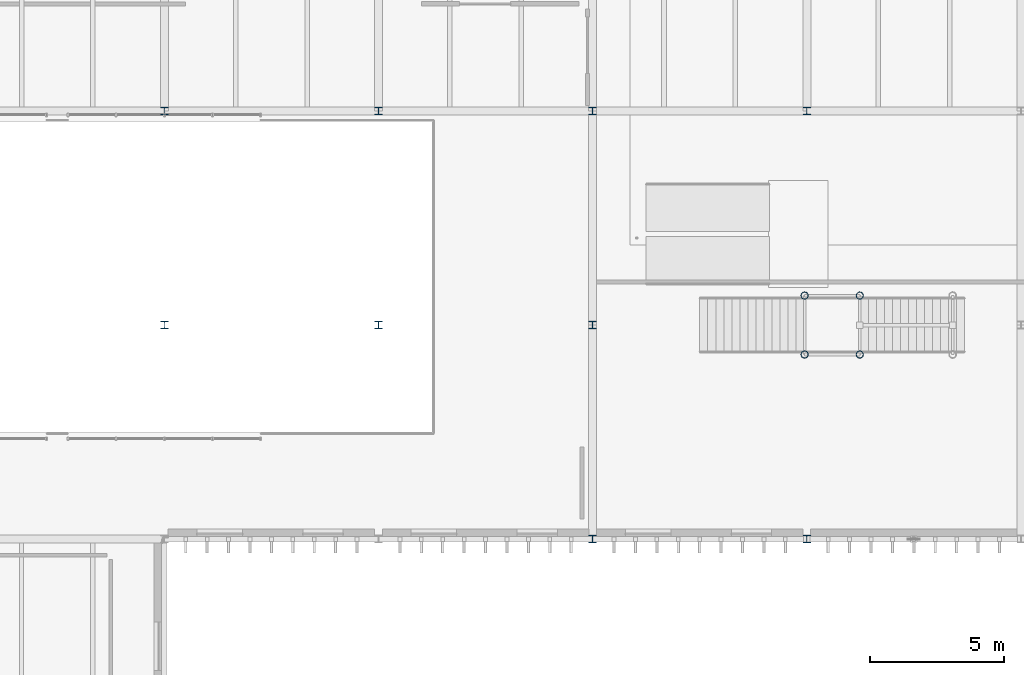
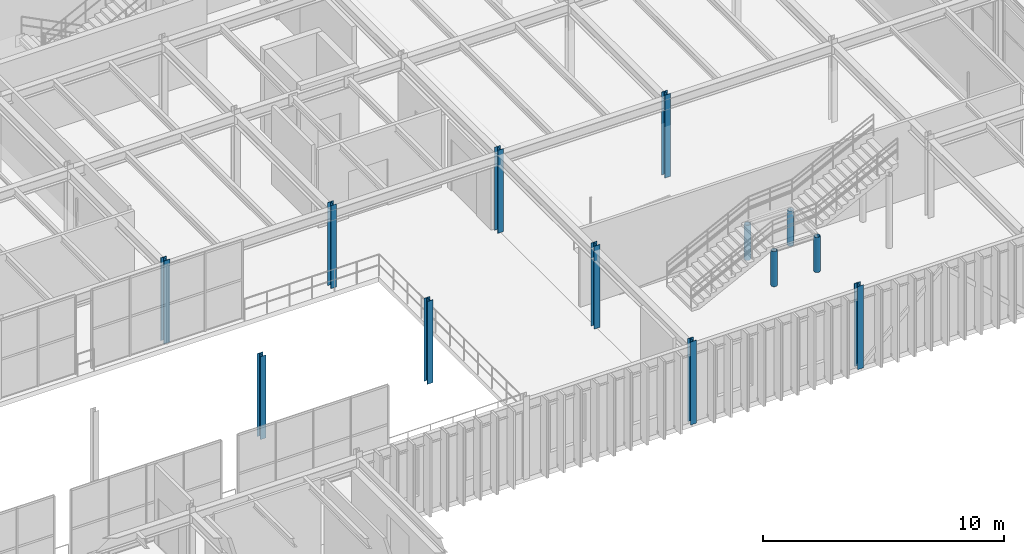
# One storey, part 8 of 122: 13 columns.
"""IFC4 building model written with IfcOpenShell, lengths in metres."""

from ifc_helpers import new_model, si_unit, direction, frame, origin, origin_2d, place, context, subcontext, project, spatial, hollow_circle, i_section, extrude, material, material_profile, profile_set, type_object, element, save


model = new_model("IFC4")

# Units and contexts
model_context = context("Model", 3, precision=1e-05, world=origin(), true_north=direction((0.0, 1.0)))
body_context = subcontext(model_context, "Body", "Model", "MODEL_VIEW")
ifc_project = project(units=[si_unit("LENGTHUNIT", "METRE"), si_unit("AREAUNIT", "SQUARE_METRE"), si_unit("VOLUMEUNIT", "CUBIC_METRE"), si_unit("PLANEANGLEUNIT", "RADIAN"), si_unit("MASSUNIT", "GRAM", prefix="KILO")], contexts=[model_context])

# Site, building, storey
site_placement = place(None, origin())
site = spatial("IfcSite", under=ifc_project, at=site_placement, CompositionType="ELEMENT")
building_placement = place(site_placement, origin())
building = spatial("IfcBuilding", under=site, at=building_placement, Name="Sundkrona Museum", CompositionType="ELEMENT")
storey_placement = place(building_placement, frame((0.0, 0.0, 5.39990234375)))
storey = spatial("IfcBuildingStorey", under=building, at=storey_placement, Name="L01", CompositionType="ELEMENT", Elevation=5.39990234375)

# Columns
ifc_material = material(Name="Steel S355J2", Category="steel")
ifc_material_profile_1 = material_profile(ifc_material, hollow_circle(Radius=0.136474609375, WallThickness=0.012451171875, at=origin_2d()), Name="CHS 273.0x12.5")
ifc_profile_set_1 = profile_set([ifc_material_profile_1], Name="Steel S355J2")
column_type_1 = type_object("IfcColumnType", Name="C-CHS273", PredefinedType="COLUMN", material=ifc_profile_set_1)
for number, where, z_axis, x_axis, name in (
    (1, (63.919921875, 84.89990234375, 0.0), (0.0, 0.0, 1.0), (1.0, 0.0, 0.0), "L01 Feature Stair FS-6 Column S1-1"),
    (2, (63.919921875, 87.10009765625, 0.0), (0.0, 0.0, 1.0), (1.0, 0.0, 0.0), "L01 Feature Stair FS-6 Column S1-2"),
    (3, (65.97998046875, 84.89990234375, 0.0), (0.0, 0.0, 1.0), (1.0, 0.0, 0.0), "L01 Feature Stair FS-6 Column S2-1"),
    (4, (65.97998046875, 87.10009765625, 0.0), (0.0, 0.0, 1.0), (1.0, 0.0, 0.0), "L01 Feature Stair FS-6 Column S2-2"),
):
    element("IfcColumn", number, at=place(storey_placement, frame(where, z_axis=z_axis, x_axis=x_axis)), inside=storey, type_object=column_type_1, Name=name, PredefinedType="COLUMN", context=body_context, shape_type="SweptSolid", body=[
        extrude(hollow_circle(Radius=0.136474609375, WallThickness=0.012451171875, at=origin_2d()), origin(), (0.0, 0.0, 1.0), 1.780029296875),
    ])
ifc_material_profile_2 = material_profile(ifc_material, i_section(OverallWidth=0.280029296875, OverallDepth=0.280029296875, WebThickness=0.010498046875, FlangeThickness=0.01806640625, FilletRadius=0.02392578125, at=origin_2d()), Name="HEB 280")
ifc_profile_set_2 = profile_set([ifc_material_profile_2], Name="Steel S355J2")
column_type_2 = type_object("IfcColumnType", Name="C-HEB280", PredefinedType="COLUMN", material=ifc_profile_set_2)
for number, where, z_axis, x_axis, name in (
    (5, (40.0, 86.0, 0.0), (0.0, 0.0, 1.0), (1.0, 0.0, 0.0), "L01 Column M/6"),
    (6, (40.0, 94.0, 0.0), (0.0, 0.0, 1.0), (1.0, 0.0, 0.0), "L01 Column N/6"),
    (7, (48.0, 86.0, 0.0), (0.0, 0.0, 1.0), (1.0, 0.0, 0.0), "L01 Column M/7"),
    (8, (48.0, 94.0, 0.0), (0.0, 0.0, 1.0), (1.0, 0.0, 0.0), "L01 Column N/7"),
    (9, (56.0, 78.0, 0.0), (0.0, 0.0, 1.0), (1.0, 0.0, 0.0), "L01 Column L/8"),
    (10, (56.0, 86.0, 0.0), (0.0, 0.0, 1.0), (1.0, 0.0, 0.0), "L01 Column M/8"),
    (11, (56.0, 94.0, 0.0), (0.0, 0.0, 1.0), (1.0, 0.0, 0.0), "L01 Column N/8"),
    (12, (64.0, 78.0, 0.0), (0.0, 0.0, 1.0), (1.0, 0.0, 0.0), "L01 Column L/9"),
    (13, (64.0, 94.0, 0.0), (0.0, 0.0, 1.0), (1.0, 0.0, 0.0), "L01 Column N/9"),
):
    element("IfcColumn", number, at=place(storey_placement, frame(where, z_axis=z_axis, x_axis=x_axis)), inside=storey, type_object=column_type_2, Name=name, PredefinedType="COLUMN", context=body_context, shape_type="SweptSolid", body=[
        extrude(i_section(OverallWidth=0.280029296875, OverallDepth=0.280029296875, WebThickness=0.010498046875, FlangeThickness=0.01806640625, FilletRadius=0.02392578125, at=origin_2d()), origin(), (0.0, 0.0, 1.0), 4.2001953125),
    ])

save(model, "model.ifc")
